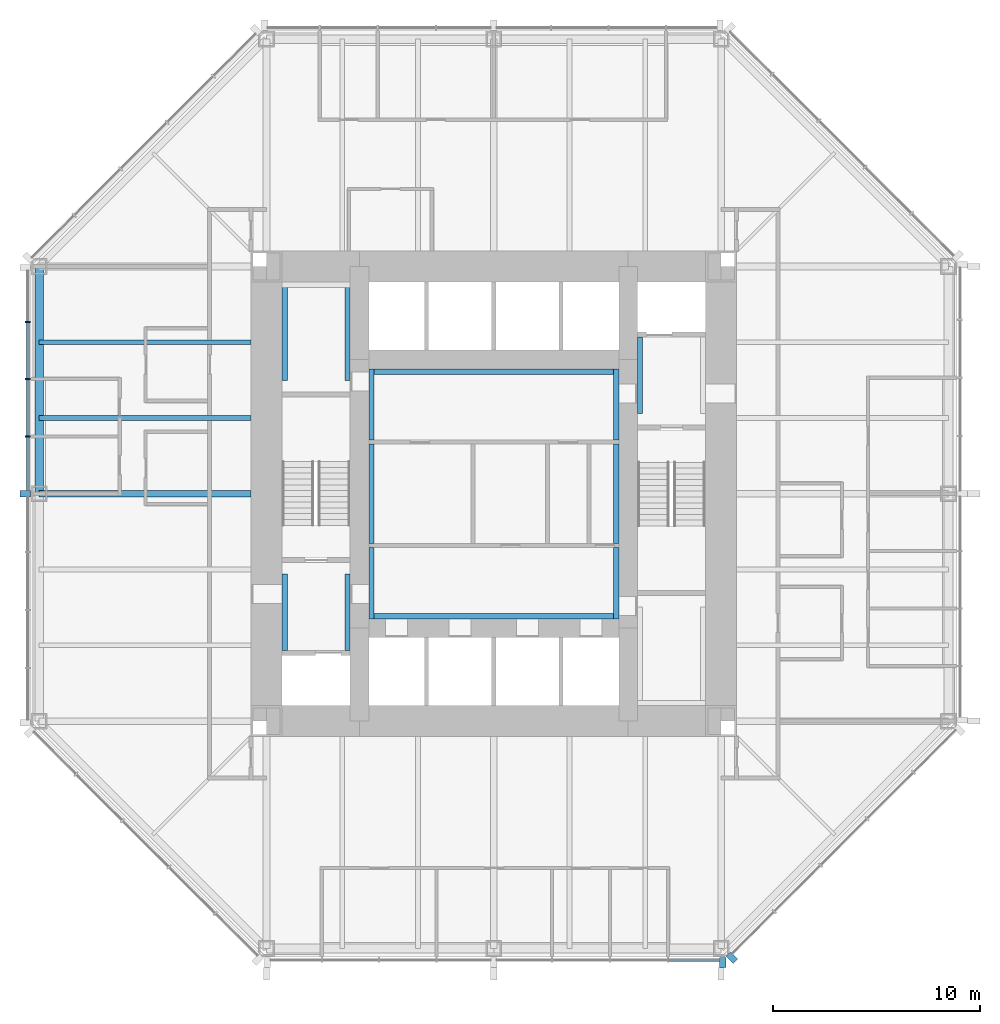
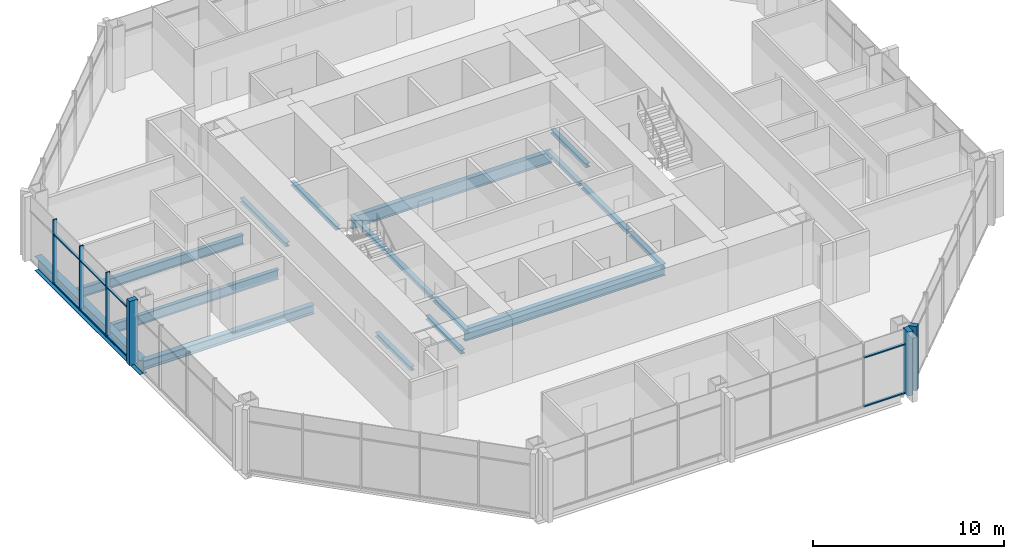
# One storey, part 3 of 12: 17 beams, 14 members, 3 elements without a shape of their own.
"""IFC4 building model written with IfcOpenShell, lengths in metres."""

import ifcopenshell
import ifcopenshell.guid

model = None  # the IFC model being written
_history = None  # IfcOwnerHistory: only IFC2X3 demands one
_inside = {}  # id of a spatial element -> (the spatial element, [elements in it])
_under = {}  # id of a project, library or spatial element -> (it, [spatial elements below it])
_declared = {}  # id of a project -> (the project, [libraries it declares])
_typed = {}  # id of a type object -> (the type object, [elements of that type])
_made_of = {}  # id of a material, layer set ... -> (it, [elements and type objects made of it])


def new_model(schema):
    """Start an empty IFC model of exactly this schema.

    Asked for "IFC4X3", IfcOpenShell would pick the latest addendum, in which some entities
    have other attributes; the version numbers below select the first issue.
    IFC2X3 requires an IfcOwnerHistory on every rooted entity: one is made here for all.
    """
    global model, _history
    if schema == "IFC4X3":
        model = ifcopenshell.file(schema_version=(4, 3, 0, 0))
    else:
        model = ifcopenshell.file(schema=schema)
    _inside.clear()
    _under.clear()
    _declared.clear()
    _typed.clear()
    _made_of.clear()
    _history = None
    if model.schema == "IFC2X3":
        org = make("IfcOrganization", Name="unknown")
        user = make(
            "IfcPersonAndOrganization",
            ThePerson=make("IfcPerson", FamilyName="unknown"),
            TheOrganization=org,
        )
        app = make(
            "IfcApplication",
            ApplicationDeveloper=org,
            Version="unknown",
            ApplicationFullName="unknown",
            ApplicationIdentifier="unknown",
        )
        _history = make(
            "IfcOwnerHistory",
            OwningUser=user,
            OwningApplication=app,
            ChangeAction="ADDED",
            CreationDate=0,
        )
    return model


def make(cls, **values):
    """One entity of the class cls with the attributes given. An attribute that is None is left unset."""
    return model.create_entity(
        cls, **{name: value for name, value in values.items() if value is not None}
    )


def rooted(cls, **values):
    """An entity with a GlobalId (a new one), such as an element, a storey or a relation."""
    return make(cls, GlobalId=ifcopenshell.guid.new(), OwnerHistory=_history, **values)


def si_unit(unit_type, name, prefix=None):
    """IfcSIUnit, for example si_unit("LENGTHUNIT", "METRE", prefix="MILLI")."""
    return make("IfcSIUnit", UnitType=unit_type, Prefix=prefix, Name=name)


def assignment(units):
    """IfcUnitAssignment: the units of a project."""
    return None if units is None else make("IfcUnitAssignment", Units=units)


def point(xyz):
    """IfcCartesianPoint."""
    return None if xyz is None else make("IfcCartesianPoint", Coordinates=xyz)


def direction(xyz):
    """IfcDirection."""
    return None if xyz is None else make("IfcDirection", DirectionRatios=xyz)


def frame(location, z_axis=None, x_axis=None):
    """IfcAxis2Placement3D, a coordinate frame: its origin and axes. An axis left out is left unset."""
    return make(
        "IfcAxis2Placement3D",
        Location=point(location),
        Axis=direction(z_axis),
        RefDirection=direction(x_axis),
    )


def frame_2d(location, x_axis=None):
    """IfcAxis2Placement2D, a coordinate frame in the plane: its origin and x axis."""
    return make(
        "IfcAxis2Placement2D", Location=point(location), RefDirection=direction(x_axis)
    )


def origin():
    """The frame at (0, 0, 0) with its axes left unset."""
    return frame((0.0, 0.0, 0.0))


def origin_2d():
    """The frame at (0, 0) in the plane with its x axis left unset."""
    return frame_2d((0.0, 0.0))


def place(relative_to, where):
    """IfcLocalPlacement: puts the frame where relative to a parent placement (None: the world)."""
    return make(
        "IfcLocalPlacement", PlacementRelTo=relative_to, RelativePlacement=where
    )


def context(
    kind, dimensions, precision=None, world=None, true_north=None, identifier=None
):
    """IfcGeometricRepresentationContext, for example the 3D "Model" context."""
    return make(
        "IfcGeometricRepresentationContext",
        ContextIdentifier=identifier,
        ContextType=kind,
        CoordinateSpaceDimension=dimensions,
        Precision=precision,
        WorldCoordinateSystem=world,
        TrueNorth=true_north,
    )


def subcontext(parent, identifier, kind, view, scale=None):
    """IfcGeometricRepresentationSubContext, for example "Body" below "Model"."""
    return make(
        "IfcGeometricRepresentationSubContext",
        ContextIdentifier=identifier,
        ContextType=kind,
        ParentContext=parent,
        TargetScale=scale,
        TargetView=view,
    )


def project(units=None, contexts=None):
    """IfcProject with its units and contexts."""
    return rooted(
        "IfcProject",
        Name="project",
        RepresentationContexts=contexts,
        UnitsInContext=assignment(units),
    )


def spatial(cls, under=None, at=None, **own):
    """A site, building, storey or space (cls), placed at a placement, below another one or the project."""
    s = rooted(cls, ObjectPlacement=at, **own)
    if under is not None:
        _under.setdefault(under.id(), (under, []))[1].append(s)
    return s


def profile(cls, at=None, kind="AREA", **sizes):
    """A parametric profile (cls). Its sizes go by their IFC names, for example OverallWidth=200.0."""
    return make(cls, ProfileType=kind, Position=at, **sizes)


def rectangle(**sizes):
    """IfcRectangleProfileDef."""
    return profile("IfcRectangleProfileDef", **sizes)


def i_section(**sizes):
    """IfcIShapeProfileDef."""
    return profile("IfcIShapeProfileDef", **sizes)


def extrude(swept, where, along, depth):
    """IfcExtrudedAreaSolid: the profile swept, set in the frame where, extruded along a direction by depth."""
    return make(
        "IfcExtrudedAreaSolid",
        SweptArea=swept,
        Position=where,
        ExtrudedDirection=direction(along),
        Depth=depth,
    )


def shape(context_of_items, identifier, shape_type, items):
    """IfcShapeRepresentation: the items that make up one representation, for example the "Body"."""
    return make(
        "IfcShapeRepresentation",
        ContextOfItems=context_of_items,
        RepresentationIdentifier=identifier,
        RepresentationType=shape_type,
        Items=items,
    )


def material(Name=None, Category=None):
    """IfcMaterial."""
    return make("IfcMaterial", Name=Name, Category=Category)


def material_profile(
    of_material, cross_section, Name=None, Category=None, Priority=None
):
    """IfcMaterialProfile: a cross section and its material."""
    return make(
        "IfcMaterialProfile",
        Name=Name,
        Material=of_material,
        Profile=cross_section,
        Priority=Priority,
        Category=Category,
    )


def profile_set(profiles, Name=None, composite=None):
    """IfcMaterialProfileSet."""
    return make(
        "IfcMaterialProfileSet",
        Name=Name,
        MaterialProfiles=profiles,
        CompositeProfile=composite,
    )


def made_of(thing, what):
    """Note that an element or type object is made of a material, layer set ...; save() writes the relation."""
    if what is not None:
        _made_of.setdefault(what.id(), (what, []))[1].append(thing)
    return thing


def type_object(cls, material=None, **own):
    """A type object (cls), such as IfcWallType, which elements share."""
    return made_of(rooted(cls, **own), material)


def element(
    cls,
    number,
    at=None,
    inside=None,
    cuts=None,
    type_object=None,
    material=None,
    context=None,
    identifier="Body",
    shape_type=None,
    held_by="IfcProductDefinitionShape",
    body=None,
    shapes=None,
    **own,
):
    """One element of the class cls, such as IfcWall. Its Tag is "e" and its number.

    at: its placement. inside: the storey or other place that contains it. cuts: it is an
    opening in that element (IfcRelVoidsElement). A single representation is given by context,
    identifier, shape_type and body (its items); several are given by shapes. held_by: the class
    of the entity that holds the representations. save() writes the other relations.
    """
    e = rooted(cls, Tag="e%d" % number, ObjectPlacement=at, **own)
    if body is not None:
        shapes = [shape(context, identifier, shape_type, body)]
    if shapes is not None:
        e.Representation = make(held_by, Representations=shapes)
    if inside is not None:
        _inside.setdefault(inside.id(), (inside, []))[1].append(e)
    if cuts is not None:
        rooted(
            "IfcRelVoidsElement", RelatingBuildingElement=cuts, RelatedOpeningElement=e
        )
    if type_object is not None:
        _typed.setdefault(type_object.id(), (type_object, []))[1].append(e)
    return made_of(e, material)


def aggregate(whole, parts):
    """IfcRelAggregates: a whole, such as a stair, and the parts it consists of."""
    return rooted("IfcRelAggregates", RelatingObject=whole, RelatedObjects=parts)


def save(model, path):
    """Write the relations noted so far, then the file.

    IfcRelAggregates (storeys below a building ...), IfcRelContainedInSpatialStructure (elements
    in a storey), IfcRelDefinesByType, IfcRelAssociatesMaterial and IfcRelDeclares: one each for
    every whole, place, type object, material and project.
    """
    for whole, parts in _under.values():
        aggregate(whole, parts)
    for where, things in _inside.values():
        rooted(
            "IfcRelContainedInSpatialStructure",
            RelatedElements=things,
            RelatingStructure=where,
        )
    for kind, things in _typed.values():
        rooted("IfcRelDefinesByType", RelatedObjects=things, RelatingType=kind)
    for what, things in _made_of.values():
        rooted("IfcRelAssociatesMaterial", RelatedObjects=things, RelatingMaterial=what)
    for by, libraries in _declared.values():
        rooted("IfcRelDeclares", RelatingContext=by, RelatedDefinitions=libraries)
    model.write(path)


model = new_model("IFC4")

# Units and contexts
model_context = context("Model", 3, precision=1e-05, world=origin(), true_north=direction((0.0, 1.0)))
body_context = subcontext(model_context, "Body", "Model", "MODEL_VIEW")
ifc_project = project(units=[si_unit("LENGTHUNIT", "METRE"), si_unit("AREAUNIT", "SQUARE_METRE"), si_unit("VOLUMEUNIT", "CUBIC_METRE"), si_unit("PLANEANGLEUNIT", "RADIAN"), si_unit("MASSUNIT", "GRAM", prefix="KILO")], contexts=[model_context])

# Site, building, storey
site_placement = place(None, origin())
site = spatial("IfcSite", under=ifc_project, at=site_placement, CompositionType="ELEMENT")
building_placement = place(site_placement, origin())
building = spatial("IfcBuilding", under=site, at=building_placement, Name="Trevanion Tower", CompositionType="ELEMENT")
storey_placement = place(building_placement, frame((0.0, 0.0, 145.89990234375)))
storey = spatial("IfcBuildingStorey", under=building, at=storey_placement, Name="L34", CompositionType="ELEMENT", Elevation=145.89990234375)

# Beams
ifc_material_1 = material(Name="Steel ASTM A992 Grade 50", Category="steel")
ifc_material_profile_1 = material_profile(ifc_material_1, i_section(OverallWidth=0.22900390625, OverallDepth=0.612060546875, WebThickness=0.011962890625, FlangeThickness=0.01953125, at=origin_2d()), Name="W24X84")
ifc_profile_set_1 = profile_set([ifc_material_profile_1], Name="Steel ASTM A992 Grade 50")
beam_type_1 = type_object("IfcBeamType", Name="B7 W24X84", PredefinedType="BEAM", material=ifc_profile_set_1)
for number, where, z_axis, x_axis, name in (
    (1, (-11.75, 7.333251953125, -0.49609375), (-1.0, 0.0, 0.0), (0.0, -1.0, 0.0), "B7 L34"),
    (2, (-11.75, 3.666748046875, -0.49609375), (-1.0, 0.0, 0.0), (0.0, -1.0, 0.0), "B7 L34"),
):
    element("IfcBeam", number, at=place(storey_placement, frame(where, z_axis=z_axis, x_axis=x_axis)), inside=storey, type_object=beam_type_1, Name=name, PredefinedType="BEAM", context=body_context, shape_type="SweptSolid", body=[
        extrude(i_section(OverallWidth=0.22900390625, OverallDepth=0.612060546875, WebThickness=0.011962890625, FlangeThickness=0.01953125, at=origin_2d()), origin(), (0.0, 0.0, 1.0), 10.25),
    ])

# Curtain wall, members
ifc_material_2 = material(Name="Aluminium and glass", Category="aluminium")
curtain_wall_type = type_object("IfcCurtainWallType", Name="CW2 curtain wall", PredefinedType="USERDEFINED", material=ifc_material_2)
curtain_wall_1_placement = place(storey_placement, origin())
curtain_wall_1 = element("IfcCurtainWall", 3, at=curtain_wall_1_placement, inside=storey, type_object=curtain_wall_type, Name="CW2 L34 4", ObjectType="UNITISED CURTAIN WALL", PredefinedType="USERDEFINED")
ifc_material_3 = material(Name="Aluminium extrusion, anodised bronze", Category="aluminium")
ifc_material_profile_2 = material_profile(ifc_material_3, rectangle(XDim=0.074951171875, YDim=0.25, at=origin_2d()), Name="CW2 mullion")
ifc_profile_set_2 = profile_set([ifc_material_profile_2], Name="Aluminium extrusion, anodised bronze")
member_type_1 = type_object("IfcMemberType", Name="CW2 mullion", PredefinedType="MULLION", material=ifc_profile_set_2)
member_1_placement = place(storey_placement, frame((-22.550048828125, 8.323486328125, -0.18994140625), z_axis=(0.0, 0.0, 1.0), x_axis=(0.0, -1.0, 0.0)))
member_1 = element("IfcMember", 4, at=member_1_placement, type_object=member_type_1, Name="CW2 mullion 2", PredefinedType="MULLION", context=body_context, shape_type="SweptSolid", body=[
    extrude(rectangle(XDim=0.074951171875, YDim=0.25, at=origin_2d()), origin(), (0.0, 0.0, 1.0), 4.10009765625),
])
member_2_placement = place(storey_placement, frame((-22.550048828125, 5.548828125, -0.18994140625), z_axis=(0.0, 0.0, 1.0), x_axis=(0.0, -1.0, 0.0)))
member_2 = element("IfcMember", 5, at=member_2_placement, type_object=member_type_1, Name="CW2 mullion 3", PredefinedType="MULLION", context=body_context, shape_type="SweptSolid", body=[
    extrude(rectangle(XDim=0.074951171875, YDim=0.25, at=origin_2d()), origin(), (0.0, 0.0, 1.0), 4.10009765625),
])
member_3_placement = place(storey_placement, frame((-22.550048828125, 2.7744140625, -0.18994140625), z_axis=(0.0, 0.0, 1.0), x_axis=(0.0, -1.0, 0.0)))
member_3 = element("IfcMember", 6, at=member_3_placement, type_object=member_type_1, Name="CW2 mullion 4", PredefinedType="MULLION", context=body_context, shape_type="SweptSolid", body=[
    extrude(rectangle(XDim=0.074951171875, YDim=0.25, at=origin_2d()), origin(), (0.0, 0.0, 1.0), 4.10009765625),
])
ifc_material_4 = material(Name="Aluminium extrusion, anodised bronze", Category="aluminium")
ifc_material_profile_3 = material_profile(ifc_material_4, rectangle(XDim=0.300048828125, YDim=0.5, at=origin_2d()), Name="CW2 pier mullion")
ifc_profile_set_3 = profile_set([ifc_material_profile_3], Name="Aluminium extrusion, anodised bronze")
member_type_2 = type_object("IfcMemberType", Name="CW2 pier mullion", PredefinedType="MULLION", material=ifc_profile_set_3)
member_4_placement = place(storey_placement, frame((-22.675048828125, 0.0, -0.18994140625), z_axis=(0.0, 0.0, 1.0), x_axis=(0.0, -1.0, 0.0)))
member_4 = element("IfcMember", 7, at=member_4_placement, type_object=member_type_2, Name="CW2 pier mullion 5", PredefinedType="MULLION", context=body_context, shape_type="SweptSolid", body=[
    extrude(rectangle(XDim=0.300048828125, YDim=0.5, at=origin_2d()), origin(), (0.0, 0.0, 1.0), 4.10009765625),
])

# Curtain wall, member
curtain_wall_2_placement = place(storey_placement, origin())
curtain_wall_2 = element("IfcCurtainWall", 8, at=curtain_wall_2_placement, inside=storey, type_object=curtain_wall_type, Name="CW2 L34 6", ObjectType="UNITISED CURTAIN WALL", PredefinedType="USERDEFINED")
member_5_placement = place(storey_placement, frame((11.077880859375, -22.675048828125, -0.18994140625), z_axis=(0.0, 0.0, 1.0), x_axis=(1.0, 0.0, 0.0)))
member_5 = element("IfcMember", 9, at=member_5_placement, type_object=member_type_2, Name="CW2 pier mullion 9", PredefinedType="MULLION", context=body_context, shape_type="SweptSolid", body=[
    extrude(rectangle(XDim=0.300048828125, YDim=0.5, at=origin_2d()), origin(), (0.0, 0.0, 1.0), 4.10009765625),
])

curtain_wall_3_placement = place(storey_placement, origin())
curtain_wall_3 = element("IfcCurtainWall", 10, at=curtain_wall_3_placement, inside=storey, type_object=curtain_wall_type, Name="CW2 L34 7", ObjectType="UNITISED CURTAIN WALL", PredefinedType="USERDEFINED")
member_6_placement = place(storey_placement, frame((11.51416015625, -22.4404296875, -0.18994140625), z_axis=(0.0, 0.0, 1.0), x_axis=(0.707106781187, 0.707106781187, 0.0)))
member_6 = element("IfcMember", 11, at=member_6_placement, type_object=member_type_2, Name="CW2 pier mullion 1", PredefinedType="MULLION", context=body_context, shape_type="SweptSolid", body=[
    extrude(rectangle(XDim=0.300048828125, YDim=0.5, at=origin_2d()), origin(), (0.0, 0.0, 1.0), 4.10009765625),
])
aggregate(curtain_wall_3, [member_6])

# Member
ifc_material_5 = material(Name="Aluminium extrusion, anodised bronze", Category="aluminium")
ifc_material_profile_4 = material_profile(ifc_material_5, rectangle(XDim=0.14990234375, YDim=0.074951171875, at=origin_2d()), Name="CW2 transom")
ifc_profile_set_4 = profile_set([ifc_material_profile_4], Name="Aluminium extrusion, anodised bronze")
member_type_3 = type_object("IfcMemberType", Name="CW2 transom", PredefinedType="USERDEFINED", material=ifc_profile_set_4)
member_7_placement = place(storey_placement, frame((-22.550048828125, 8.285888671875, -0.15234375), z_axis=(0.0, -1.0, 0.0), x_axis=(1.0, 0.0, 0.0)))
member_7 = element("IfcMember", 12, at=member_7_placement, type_object=member_type_3, Name="CW2 transom 2.1", ObjectType="TRANSOM", PredefinedType="USERDEFINED", context=body_context, shape_type="SweptSolid", body=[
    extrude(rectangle(XDim=0.14990234375, YDim=0.074951171875, at=origin_2d()), origin(), (0.0, 0.0, 1.0), 2.699462890625),
])

member_8_placement = place(storey_placement, frame((-22.550048828125, 8.285888671875, 2.960205078125), z_axis=(0.0, -1.0, 0.0), x_axis=(1.0, 0.0, 0.0)))
member_8 = element("IfcMember", 13, at=member_8_placement, type_object=member_type_3, Name="CW2 transom 2.2", ObjectType="TRANSOM", PredefinedType="USERDEFINED", context=body_context, shape_type="SweptSolid", body=[
    extrude(rectangle(XDim=0.14990234375, YDim=0.074951171875, at=origin_2d()), origin(), (0.0, 0.0, 1.0), 2.699462890625),
])

member_9_placement = place(storey_placement, frame((-22.550048828125, 5.511474609375, -0.15234375), z_axis=(0.0, -1.0, 0.0), x_axis=(1.0, 0.0, 0.0)))
member_9 = element("IfcMember", 14, at=member_9_placement, type_object=member_type_3, Name="CW2 transom 3.1", ObjectType="TRANSOM", PredefinedType="USERDEFINED", context=body_context, shape_type="SweptSolid", body=[
    extrude(rectangle(XDim=0.14990234375, YDim=0.074951171875, at=origin_2d()), origin(), (0.0, 0.0, 1.0), 2.699462890625),
])

member_10_placement = place(storey_placement, frame((-22.550048828125, 5.511474609375, 2.960205078125), z_axis=(0.0, -1.0, 0.0), x_axis=(1.0, 0.0, 0.0)))
member_10 = element("IfcMember", 15, at=member_10_placement, type_object=member_type_3, Name="CW2 transom 3.2", ObjectType="TRANSOM", PredefinedType="USERDEFINED", context=body_context, shape_type="SweptSolid", body=[
    extrude(rectangle(XDim=0.14990234375, YDim=0.074951171875, at=origin_2d()), origin(), (0.0, 0.0, 1.0), 2.699462890625),
])

member_11_placement = place(storey_placement, frame((-22.550048828125, 2.737060546875, -0.15234375), z_axis=(0.0, -1.0, 0.0), x_axis=(1.0, 0.0, 0.0)))
member_11 = element("IfcMember", 16, at=member_11_placement, type_object=member_type_3, Name="CW2 transom 4.1", ObjectType="TRANSOM", PredefinedType="USERDEFINED", context=body_context, shape_type="SweptSolid", body=[
    extrude(rectangle(XDim=0.14990234375, YDim=0.074951171875, at=origin_2d()), origin(), (0.0, 0.0, 1.0), 2.587158203125),
])

member_12_placement = place(storey_placement, frame((-22.550048828125, 2.737060546875, 2.960205078125), z_axis=(0.0, -1.0, 0.0), x_axis=(1.0, 0.0, 0.0)))
member_12 = element("IfcMember", 17, at=member_12_placement, type_object=member_type_3, Name="CW2 transom 4.2", ObjectType="TRANSOM", PredefinedType="USERDEFINED", context=body_context, shape_type="SweptSolid", body=[
    extrude(rectangle(XDim=0.14990234375, YDim=0.074951171875, at=origin_2d()), origin(), (0.0, 0.0, 1.0), 2.587158203125),
])

aggregate(curtain_wall_1, [member_1, member_2, member_3, member_4, member_7, member_8, member_9, member_10, member_11, member_12])

member_13_placement = place(storey_placement, frame((8.45849609375, -22.550048828125, -0.15234375), z_axis=(1.0, 0.0, 0.0), x_axis=(0.0, 1.0, 0.0)))
member_13 = element("IfcMember", 18, at=member_13_placement, type_object=member_type_3, Name="CW2 transom 8.1", ObjectType="TRANSOM", PredefinedType="USERDEFINED", context=body_context, shape_type="SweptSolid", body=[
    extrude(rectangle(XDim=0.14990234375, YDim=0.074951171875, at=origin_2d()), origin(), (0.0, 0.0, 1.0), 2.46923828125),
])

member_14_placement = place(storey_placement, frame((8.45849609375, -22.550048828125, 2.960205078125), z_axis=(1.0, 0.0, 0.0), x_axis=(0.0, 1.0, 0.0)))
member_14 = element("IfcMember", 19, at=member_14_placement, type_object=member_type_3, Name="CW2 transom 8.2", ObjectType="TRANSOM", PredefinedType="USERDEFINED", context=body_context, shape_type="SweptSolid", body=[
    extrude(rectangle(XDim=0.14990234375, YDim=0.074951171875, at=origin_2d()), origin(), (0.0, 0.0, 1.0), 2.46923828125),
])

aggregate(curtain_wall_2, [member_5, member_13, member_14])

# Beams
ifc_material_6 = material(Name="Steel ASTM A992 Grade 50", Category="steel")
ifc_material_profile_5 = material_profile(ifc_material_6, i_section(OverallWidth=0.320068359375, OverallDepth=0.584228515625, WebThickness=0.023193359375, FlangeThickness=0.04150390625, at=origin_2d()), Name="W21X201")
ifc_profile_set_5 = profile_set([ifc_material_profile_5], Name="Steel ASTM A992 Grade 50")
beam_type_2 = type_object("IfcBeamType", Name="G4 W21X201", PredefinedType="BEAM", material=ifc_profile_set_5)
beam_1_placement = place(storey_placement, frame((-11.75, 0.0, -0.48193359375), z_axis=(-1.0, 0.0, 0.0), x_axis=(0.0, -1.0, 0.0)))
element("IfcBeam", 20, at=beam_1_placement, inside=storey, type_object=beam_type_2, Name="G4 L34", PredefinedType="BEAM", context=body_context, shape_type="SweptSolid", body=[
    extrude(i_section(OverallWidth=0.320068359375, OverallDepth=0.584228515625, WebThickness=0.023193359375, FlangeThickness=0.04150390625, at=origin_2d()), origin(), (0.0, 0.0, 1.0), 10.25),
])
ifc_material_7 = material(Name="Steel ASTM A992 Grade 50", Category="steel")
ifc_material_profile_6 = material_profile(ifc_material_7, i_section(OverallWidth=0.256591796875, OverallDepth=0.26416015625, WebThickness=0.011962890625, FlangeThickness=0.01953125, at=origin_2d()), Name="W10X68")
ifc_profile_set_6 = profile_set([ifc_material_profile_6], Name="Steel ASTM A992 Grade 50")
beam_type_3 = type_object("IfcBeamType", Name="LB1 W10X68", PredefinedType="BEAM", material=ifc_profile_set_6)
for number, where, z_axis, x_axis, name in (
    (21, (-5.921630859375, 2.60009765625, -0.33203125), (0.0, 1.0, 0.0), (-1.0, 0.0, 0.0), "LB1 L34"),
    (22, (5.921630859375, 2.60009765625, -0.33203125), (0.0, 1.0, 0.0), (-1.0, 0.0, 0.0), "LB1 L34"),
    (23, (-5.921630859375, -6.050048828125, -0.33203125), (0.0, 1.0, 0.0), (-1.0, 0.0, 0.0), "LB1 L34"),
    (24, (5.921630859375, -6.050048828125, -0.33203125), (0.0, 1.0, 0.0), (-1.0, 0.0, 0.0), "LB1 L34"),
):
    element("IfcBeam", number, at=place(storey_placement, frame(where, z_axis=z_axis, x_axis=x_axis)), inside=storey, type_object=beam_type_3, Name=name, PredefinedType="BEAM", context=body_context, shape_type="SweptSolid", body=[
        extrude(i_section(OverallWidth=0.256591796875, OverallDepth=0.26416015625, WebThickness=0.011962890625, FlangeThickness=0.01953125, at=origin_2d()), origin(), (0.0, 0.0, 1.0), 3.449951171875),
    ])
for number, where, z_axis, x_axis, name in (
    (25, (7.078369140625, 3.875, -0.33203125), (0.0, 1.0, 0.0), (-1.0, 0.0, 0.0), "LB1 L34"),
    (26, (-10.12158203125, -7.574951171875, -0.33203125), (0.0, 1.0, 0.0), (-1.0, 0.0, 0.0), "LB1 L34"),
    (27, (-7.078369140625, -7.574951171875, -0.33203125), (0.0, 1.0, 0.0), (-1.0, 0.0, 0.0), "LB1 L34"),
):
    element("IfcBeam", number, at=place(storey_placement, frame(where, z_axis=z_axis, x_axis=x_axis)), inside=storey, type_object=beam_type_3, Name=name, PredefinedType="BEAM", context=body_context, shape_type="SweptSolid", body=[
        extrude(i_section(OverallWidth=0.256591796875, OverallDepth=0.26416015625, WebThickness=0.011962890625, FlangeThickness=0.01953125, at=origin_2d()), origin(), (0.0, 0.0, 1.0), 3.699951171875),
    ])
for number, where, z_axis, x_axis, name in (
    (28, (-10.12158203125, 5.47509765625, -0.33203125), (0.0, 1.0, 0.0), (-1.0, 0.0, 0.0), "LB1 L34"),
    (29, (-7.078369140625, 5.47509765625, -0.33203125), (0.0, 1.0, 0.0), (-1.0, 0.0, 0.0), "LB1 L34"),
):
    element("IfcBeam", number, at=place(storey_placement, frame(where, z_axis=z_axis, x_axis=x_axis)), inside=storey, type_object=beam_type_3, Name=name, PredefinedType="BEAM", context=body_context, shape_type="SweptSolid", body=[
        extrude(i_section(OverallWidth=0.256591796875, OverallDepth=0.26416015625, WebThickness=0.011962890625, FlangeThickness=0.01953125, at=origin_2d()), origin(), (0.0, 0.0, 1.0), 4.77490234375),
    ])
for number, where, z_axis, x_axis, name in (
    (30, (-5.921630859375, -2.39990234375, -0.33203125), (0.0, 1.0, 0.0), (-1.0, 0.0, 0.0), "LB1 L34"),
    (31, (5.921630859375, -2.39990234375, -0.33203125), (0.0, 1.0, 0.0), (-1.0, 0.0, 0.0), "LB1 L34"),
):
    element("IfcBeam", number, at=place(storey_placement, frame(where, z_axis=z_axis, x_axis=x_axis)), inside=storey, type_object=beam_type_3, Name=name, PredefinedType="BEAM", context=body_context, shape_type="SweptSolid", body=[
        extrude(i_section(OverallWidth=0.256591796875, OverallDepth=0.26416015625, WebThickness=0.011962890625, FlangeThickness=0.01953125, at=origin_2d()), origin(), (0.0, 0.0, 1.0), 4.7998046875),
    ])
ifc_material_8 = material(Name="Steel ASTM A992 Grade 50", Category="steel")
ifc_material_profile_7 = material_profile(ifc_material_8, i_section(OverallWidth=0.2666015625, OverallDepth=0.76953125, WebThickness=0.015625, FlangeThickness=0.025390625, at=origin_2d()), Name="W30X132")
ifc_profile_set_7 = profile_set([ifc_material_profile_7], Name="Steel ASTM A992 Grade 50")
beam_type_4 = type_object("IfcBeamType", Name="LB3 W30X132", PredefinedType="BEAM", material=ifc_profile_set_7)
for number, where, z_axis, x_axis, name in (
    (32, (-6.050048828125, 5.91650390625, -0.584716796875), (1.0, 0.0, 0.0), (0.0, 1.0, 0.0), "LB3 L34"),
    (33, (-6.050048828125, -5.91650390625, -0.584716796875), (1.0, 0.0, 0.0), (0.0, 1.0, 0.0), "LB3 L34"),
):
    element("IfcBeam", number, at=place(storey_placement, frame(where, z_axis=z_axis, x_axis=x_axis)), inside=storey, type_object=beam_type_4, Name=name, PredefinedType="BEAM", context=body_context, shape_type="SweptSolid", body=[
        extrude(i_section(OverallWidth=0.2666015625, OverallDepth=0.76953125, WebThickness=0.015625, FlangeThickness=0.025390625, at=origin_2d()), origin(), (0.0, 0.0, 1.0), 12.10009765625),
    ])
ifc_material_9 = material(Name="Steel ASTM A992 Grade 50", Category="steel")
ifc_material_profile_8 = material_profile(ifc_material_9, i_section(OverallWidth=0.419189453125, OverallDepth=0.927001953125, WebThickness=0.019287109375, FlangeThickness=0.031982421875, at=origin_2d()), Name="W36X231")
ifc_profile_set_8 = profile_set([ifc_material_profile_8], Name="Steel ASTM A992 Grade 50")
beam_type_5 = type_object("IfcBeamType", Name="SB4 W36X231", PredefinedType="SPANDREL", material=ifc_profile_set_8)
beam_2_placement = place(storey_placement, frame((-22.0, 11.0, -0.6533203125), z_axis=(0.0, -1.0, 0.0), x_axis=(1.0, 0.0, 0.0)))
element("IfcBeam", 34, at=beam_2_placement, inside=storey, type_object=beam_type_5, Name="SB4 L34", PredefinedType="SPANDREL", context=body_context, shape_type="SweptSolid", body=[
    extrude(i_section(OverallWidth=0.419189453125, OverallDepth=0.927001953125, WebThickness=0.019287109375, FlangeThickness=0.031982421875, at=origin_2d()), origin(), (0.0, 0.0, 1.0), 11.0),
])

save(model, "model.ifc")
